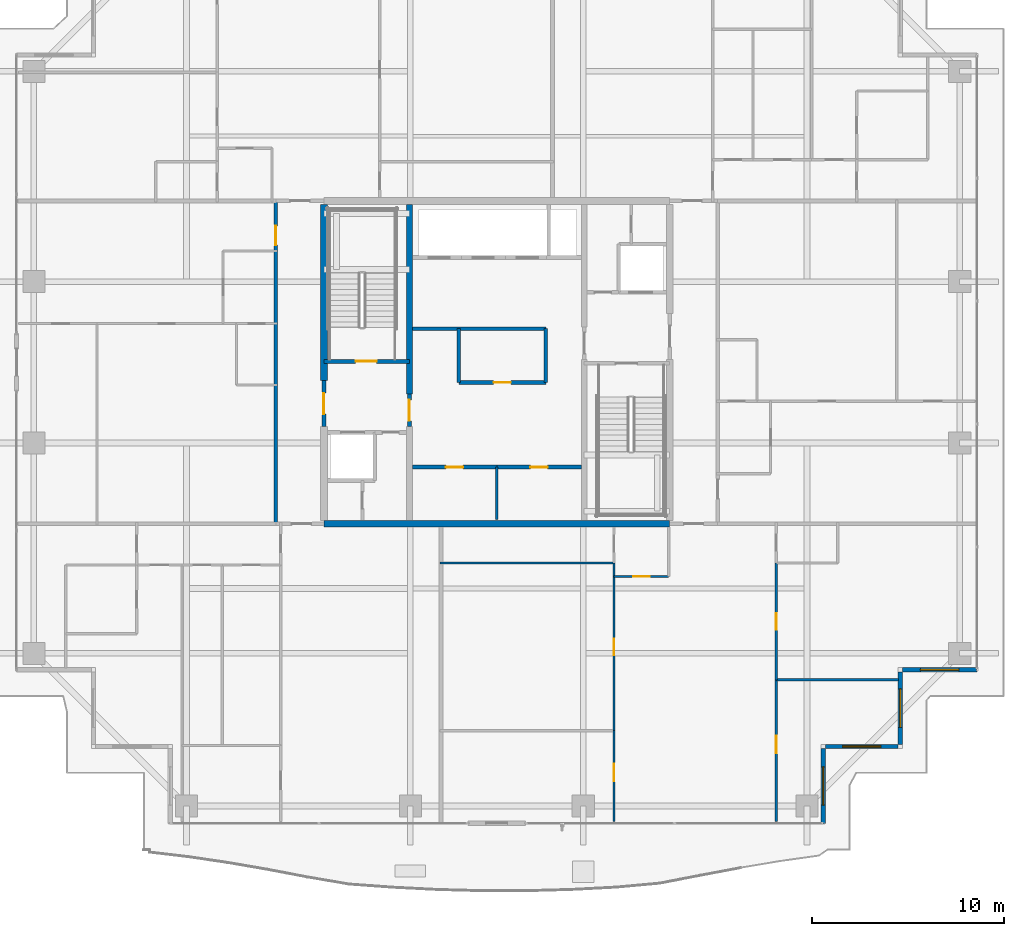
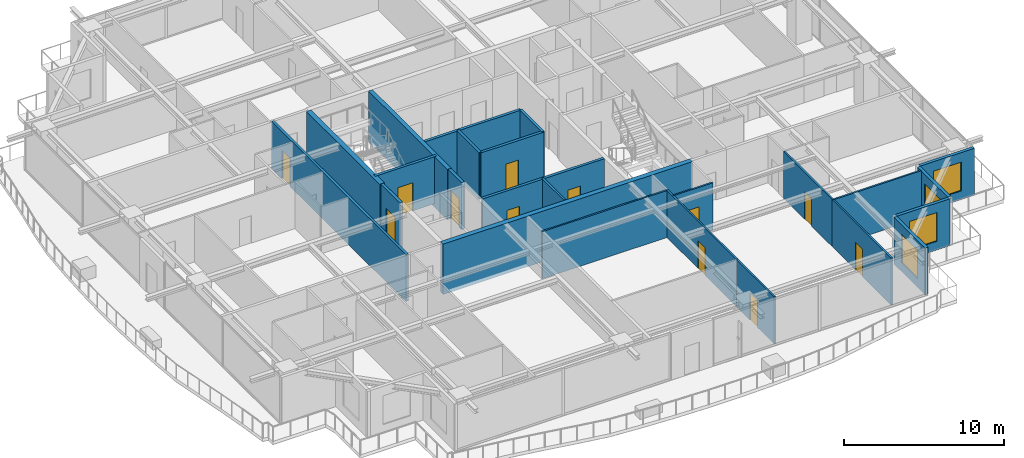
# One storey, part 25 of 37: 25 walls, 12 doors, 4 windows, 16 openings.
"""IFC4 building model written with IfcOpenShell, lengths in metres."""

from ifc_helpers import new_model, si_unit, direction, frame, frame_2d, origin, place, context, subcontext, project, spatial, rectangle, extrude, source, transform, mapped, material, layer, layer_set, type_object, element, fill, save


model = new_model("IFC4")

# Units and contexts
model_context = context("Model", 3, precision=1e-05, world=origin(), true_north=direction((0.0, 1.0)))
body_context = subcontext(model_context, "Body", "Model", "MODEL_VIEW")
ifc_project = project(units=[si_unit("LENGTHUNIT", "METRE"), si_unit("AREAUNIT", "SQUARE_METRE"), si_unit("VOLUMEUNIT", "CUBIC_METRE"), si_unit("PLANEANGLEUNIT", "RADIAN"), si_unit("MASSUNIT", "GRAM", prefix="KILO")], contexts=[model_context])

# Site, building, storey
site_placement = place(None, origin())
site = spatial("IfcSite", under=ifc_project, at=site_placement, CompositionType="ELEMENT")
building_placement = place(site_placement, origin())
building = spatial("IfcBuilding", under=site, at=building_placement, Name="Serunith Strait Residences", CompositionType="ELEMENT")
storey_placement = place(building_placement, frame((0.0, 0.0, 218.14990234375)))
storey = spatial("IfcBuildingStorey", under=building, at=storey_placement, Name="L54", CompositionType="ELEMENT", Elevation=218.14990234375)

# Wall, opening, window
ifc_material_1 = material(Name="Pale-Champagne Aluminium Insulated Panel", Category="aluminium")
ifc_layer_1 = layer(ifc_material_1, 0.219970703125, Name="Pale-Champagne Aluminium Insulated Panel")
ifc_layer_set_1 = layer_set([ifc_layer_1], Name="Pale-Champagne Aluminium Insulated Panel")
wall_type_1 = type_object("IfcWallType", Name="EW-ALUM-220", PredefinedType="ELEMENTEDWALL", material=ifc_layer_set_1)
wall_1_placement = place(storey_placement, frame((49.39990234375, 1.199951171875, 0.0), z_axis=(0.0, 0.0, 1.0), x_axis=(0.0, 1.0, 0.0)))
wall_1 = element("IfcWall", 1, at=wall_1_placement, inside=storey, type_object=wall_type_1, Name="L54 Girih Serrated Corner Wall 02", PredefinedType="ELEMENTEDWALL", context=body_context, shape_type="SweptSolid", body=[
    extrude(rectangle(XDim=3.89013671875, YDim=0.219970703125, at=frame_2d((1.945068359375, 0.0))), origin(), (0.0, 0.0, 1.0), 3.5751953125),
])
opening_1_placement = place(wall_1_placement, frame((0.945068359375, 0.0, 0.64990234375)))
opening_1 = element("IfcOpeningElement", 2, at=opening_1_placement, cuts=wall_1, Name="Opening W-04", PredefinedType="OPENING", context=body_context, shape_type="SweptSolid", body=[
    extrude(rectangle(XDim=2.0, YDim=2.199951171875, at=frame_2d((1.0, 1.10009765625))), frame((0.0, 0.1201171875, 0.0), z_axis=(0.0, -1.0, 0.0), x_axis=(1.0, 0.0, 0.0)), (0.0, 0.0, 1.0), 0.239990234375),
])
ifc_material_2 = material(Name="Ceramic-Fritted Operable Aluminium Window Glass", Category="aluminium")
window_type = type_object("IfcWindowType", Name="WIN-C4", PartitioningType="TRIPLE_PANEL_VERTICAL", PredefinedType="WINDOW", material=ifc_material_2)
shared_shape_1 = source(origin(), body_context, "Body", "SweptSolid", [
    extrude(rectangle(XDim=2.0, YDim=2.199951171875, at=frame_2d((1.0, 1.10009765625))), frame((0.0, 0.030029296875, 0.0), z_axis=(0.0, -1.0, 0.0), x_axis=(1.0, 0.0, 0.0)), (0.0, 0.0, 1.0), 0.06005859375),
])
window_1_placement = place(opening_1_placement, origin())
window_1 = element("IfcWindow", 3, at=window_1_placement, inside=storey, type_object=window_type, Name="L54 Corner Operable Fritted Window 02", OverallHeight=2.199951171875, OverallWidth=2.0, PartitioningType="SINGLE_PANEL", PredefinedType="WINDOW", context=body_context, shape_type="MappedRepresentation", body=[
    mapped(shared_shape_1, transform((0.0, 0.0, 0.0), scale=1.0)),
])
fill(opening_1, window_1)

wall_2_placement = place(storey_placement, frame((49.510009765625, 5.199951171875, 0.0), z_axis=(0.0, 0.0, 1.0), x_axis=(1.0, 0.0, 0.0)))
wall_2 = element("IfcWall", 4, at=wall_2_placement, inside=storey, type_object=wall_type_1, Name="L54 Girih Serrated Corner Wall 03", PredefinedType="ELEMENTEDWALL", context=body_context, shape_type="SweptSolid", body=[
    extrude(rectangle(XDim=3.780029296875, YDim=0.219970703125, at=frame_2d((1.89013671875, 0.0))), origin(), (0.0, 0.0, 1.0), 3.5751953125),
])
opening_2_placement = place(wall_2_placement, frame((0.889892578125, 0.0, 0.64990234375)))
opening_2 = element("IfcOpeningElement", 5, at=opening_2_placement, cuts=wall_2, Name="Opening W-04", PredefinedType="OPENING", context=body_context, shape_type="SweptSolid", body=[
    extrude(rectangle(XDim=2.0, YDim=2.199951171875, at=frame_2d((1.0, 1.10009765625))), frame((0.0, 0.1201171875, 0.0), z_axis=(0.0, -1.0, 0.0), x_axis=(1.0, 0.0, 0.0)), (0.0, 0.0, 1.0), 0.239990234375),
])
window_2_placement = place(opening_2_placement, origin())
window_2 = element("IfcWindow", 6, at=window_2_placement, inside=storey, type_object=window_type, Name="L54 Corner Operable Fritted Window 03", OverallHeight=2.199951171875, OverallWidth=2.0, PartitioningType="SINGLE_PANEL", PredefinedType="WINDOW", context=body_context, shape_type="MappedRepresentation", body=[
    mapped(shared_shape_1, transform((0.0, 0.0, 0.0), scale=1.0)),
])
fill(opening_2, window_2)

wall_3_placement = place(storey_placement, frame((53.39990234375, 5.31005859375, 0.0), z_axis=(0.0, 0.0, 1.0), x_axis=(0.0, 1.0, 0.0)))
wall_3 = element("IfcWall", 7, at=wall_3_placement, inside=storey, type_object=wall_type_1, Name="L54 Girih Serrated Corner Wall 04", PredefinedType="ELEMENTEDWALL", context=body_context, shape_type="SweptSolid", body=[
    extrude(rectangle(XDim=3.780029296875, YDim=0.219970703125, at=frame_2d((1.89013671875, 0.0))), origin(), (0.0, 0.0, 1.0), 3.5751953125),
])
opening_3_placement = place(wall_3_placement, frame((0.889892578125, 0.0, 0.64990234375)))
opening_3 = element("IfcOpeningElement", 8, at=opening_3_placement, cuts=wall_3, Name="Opening W-04", PredefinedType="OPENING", context=body_context, shape_type="SweptSolid", body=[
    extrude(rectangle(XDim=2.0, YDim=2.199951171875, at=frame_2d((1.0, 1.10009765625))), frame((0.0, 0.1201171875, 0.0), z_axis=(0.0, -1.0, 0.0), x_axis=(1.0, 0.0, 0.0)), (0.0, 0.0, 1.0), 0.239990234375),
])
window_3_placement = place(opening_3_placement, origin())
window_3 = element("IfcWindow", 9, at=window_3_placement, inside=storey, type_object=window_type, Name="L54 Corner Operable Fritted Window 04", OverallHeight=2.199951171875, OverallWidth=2.0, PartitioningType="SINGLE_PANEL", PredefinedType="WINDOW", context=body_context, shape_type="MappedRepresentation", body=[
    mapped(shared_shape_1, transform((0.0, 0.0, 0.0), scale=1.0)),
])
fill(opening_3, window_3)

wall_4_placement = place(storey_placement, frame((53.510009765625, 9.199951171875, 0.0), z_axis=(0.0, 0.0, 1.0), x_axis=(1.0, 0.0, 0.0)))
wall_4 = element("IfcWall", 10, at=wall_4_placement, inside=storey, type_object=wall_type_1, Name="L54 Girih Serrated Corner Wall 05", PredefinedType="ELEMENTEDWALL", context=body_context, shape_type="SweptSolid", body=[
    extrude(rectangle(XDim=3.889892578125, YDim=0.219970703125, at=frame_2d((1.94482421875, 0.0))), origin(), (0.0, 0.0, 1.0), 3.5751953125),
])
opening_4_placement = place(wall_4_placement, frame((0.945068359375, 0.0, 0.64990234375)))
opening_4 = element("IfcOpeningElement", 11, at=opening_4_placement, cuts=wall_4, Name="Opening W-04", PredefinedType="OPENING", context=body_context, shape_type="SweptSolid", body=[
    extrude(rectangle(XDim=2.0, YDim=2.199951171875, at=frame_2d((1.0, 1.10009765625))), frame((0.0, 0.1201171875, 0.0), z_axis=(0.0, -1.0, 0.0), x_axis=(1.0, 0.0, 0.0)), (0.0, 0.0, 1.0), 0.239990234375),
])
window_4_placement = place(opening_4_placement, origin())
window_4 = element("IfcWindow", 12, at=window_4_placement, inside=storey, type_object=window_type, Name="L54 Corner Operable Fritted Window 05", OverallHeight=2.199951171875, OverallWidth=2.0, PartitioningType="SINGLE_PANEL", PredefinedType="WINDOW", context=body_context, shape_type="MappedRepresentation", body=[
    mapped(shared_shape_1, transform((0.0, 0.0, 0.0), scale=1.0)),
])
fill(opening_4, window_4)

# Wall
ifc_material_3 = material(Name="Fire-rated masonry service closet wall", Category="masonry")
ifc_layer_2 = layer(ifc_material_3, 0.14990234375, Name="Fire-rated masonry service closet wall")
ifc_layer_set_2 = layer_set([ifc_layer_2], Name="Fire-rated masonry service closet wall")
wall_type_2 = type_object("IfcWallType", Name="IW-BOH-150", PredefinedType="PARTITIONING", material=ifc_layer_set_2)
wall_5_placement = place(storey_placement, frame((32.39990234375, 17.02001953125, 0.0), z_axis=(0.0, 0.0, 1.0), x_axis=(0.0, 1.0, 0.0)))
element("IfcWall", 13, at=wall_5_placement, inside=storey, type_object=wall_type_2, Name="L54 Partition Wall 015", PredefinedType="PARTITIONING", context=body_context, shape_type="SweptSolid", body=[
    extrude(rectangle(XDim=2.72998046875, YDim=0.14990234375, at=frame_2d((1.364990234375, 0.0))), origin(), (0.0, 0.0, 1.0), 3.590087890625),
])

# Wall, opening, door
ifc_material_4 = material(Name="Fire-rated acoustic gypsum partition")
ifc_layer_3 = layer(ifc_material_4, 0.179931640625, Name="Fire-rated acoustic gypsum partition")
ifc_layer_set_3 = layer_set([ifc_layer_3], Name="Fire-rated acoustic gypsum partition")
wall_type_3 = type_object("IfcWallType", Name="IW-CORR-180", PredefinedType="PARTITIONING", material=ifc_layer_set_3)
wall_6_placement = place(storey_placement, frame((20.89990234375, 16.800048828125, 0.0), z_axis=(0.0, 0.0, 1.0), x_axis=(0.0, 1.0, 0.0)))
wall_6 = element("IfcWall", 14, at=wall_6_placement, inside=storey, type_object=wall_type_3, Name="L54 Partition Wall 028", PredefinedType="PARTITIONING", context=body_context, shape_type="SweptSolid", body=[
    extrude(rectangle(XDim=16.800048828125, YDim=0.179931640625, at=frame_2d((8.39990234375, 0.0))), origin(), (0.0, 0.0, 1.0), 3.590087890625),
])
opening_5_placement = place(wall_6_placement, frame((14.5, 0.0, 0.0)))
opening_5 = element("IfcOpeningElement", 15, at=opening_5_placement, cuts=wall_6, Name="Opening D-APT1000", PredefinedType="OPENING", context=body_context, shape_type="SweptSolid", body=[
    extrude(rectangle(XDim=1.0, YDim=2.14990234375, at=frame_2d((0.5, 1.074951171875))), frame((0.0, 0.10009765625, 0.0), z_axis=(0.0, -1.0, 0.0), x_axis=(1.0, 0.0, 0.0)), (0.0, 0.0, 1.0), 0.199951171875),
])
ifc_material_5 = material(Name="Solid timber engineered fire door", Category="wood")
door_type_1 = type_object("IfcDoorType", Name="ID-APT-1000", OperationType="NOTDEFINED", PredefinedType="DOOR", material=ifc_material_5)
shared_shape_2 = source(origin(), body_context, "Body", "SweptSolid", [
    extrude(rectangle(XDim=1.0, YDim=2.14990234375, at=frame_2d((0.5, 1.074951171875))), frame((0.0, 0.02490234375, 0.0), z_axis=(0.0, -1.0, 0.0), x_axis=(1.0, 0.0, 0.0)), (0.0, 0.0, 1.0), 0.050048828125),
])
door_1_placement = place(opening_5_placement, origin())
door_1 = element("IfcDoor", 16, at=door_1_placement, inside=storey, type_object=door_type_1, Name="L54 Unit 05 Entrance Door", OperationType="SINGLE_SWING_LEFT", OverallHeight=2.14990234375, OverallWidth=1.0, PredefinedType="DOOR", context=body_context, shape_type="MappedRepresentation", body=[
    mapped(shared_shape_2, transform((0.0, 0.0, 0.0), scale=1.0)),
])
fill(opening_5, door_1)

ifc_material_6 = material(Name="Lightweight steel-stud gypsum partition", Category="steel")
ifc_layer_4 = layer(ifc_material_6, 0.1201171875, Name="Lightweight steel-stud gypsum partition")
ifc_layer_set_4 = layer_set([ifc_layer_4], Name="Lightweight steel-stud gypsum partition")
wall_type_4 = type_object("IfcWallType", Name="IW-PART-120", PredefinedType="PARTITIONING", material=ifc_layer_set_4)
wall_7_placement = place(storey_placement, frame((38.5, 14.050048828125, 0.0), z_axis=(0.0, 0.0, 1.0), x_axis=(1.0, 0.0, 0.0)))
wall_7 = element("IfcWall", 17, at=wall_7_placement, inside=storey, type_object=wall_type_4, Name="L54 Partition Wall 046", PredefinedType="PARTITIONING", context=body_context, shape_type="SweptSolid", body=[
    extrude(rectangle(XDim=2.85009765625, YDim=0.1201171875, at=frame_2d((1.425048828125, 0.0))), origin(), (0.0, 0.0, 1.0), 3.590087890625),
])
opening_6_placement = place(wall_7_placement, frame((1.0, 0.0, 0.0)))
opening_6 = element("IfcOpeningElement", 18, at=opening_6_placement, cuts=wall_7, Name="Opening D-RM850", PredefinedType="OPENING", context=body_context, shape_type="SweptSolid", body=[
    extrude(rectangle(XDim=0.85009765625, YDim=2.10009765625, at=frame_2d((0.425048828125, 1.050048828125))), frame((0.0, 0.070068359375, 0.0), z_axis=(0.0, -1.0, 0.0), x_axis=(1.0, 0.0, 0.0)), (0.0, 0.0, 1.0), 0.14013671875),
])
ifc_material_7 = material(Name="Engineered timber flush study and kitchen door", Category="wood")
door_type_2 = type_object("IfcDoorType", Name="ID-ROOM-850", OperationType="NOTDEFINED", PredefinedType="DOOR", material=ifc_material_7)
shared_shape_3 = source(origin(), body_context, "Body", "SweptSolid", [
    extrude(rectangle(XDim=0.85009765625, YDim=2.10009765625, at=frame_2d((0.425048828125, 1.050048828125))), frame((0.0, 0.02490234375, 0.0), z_axis=(0.0, -1.0, 0.0), x_axis=(1.0, 0.0, 0.0)), (0.0, 0.0, 1.0), 0.050048828125),
])
door_2_placement = place(opening_6_placement, origin())
door_2 = element("IfcDoor", 19, at=door_2_placement, inside=storey, type_object=door_type_2, Name="L54 Kitchen 5402 Door", OperationType="SINGLE_SWING_RIGHT", OverallHeight=2.10009765625, OverallWidth=0.85009765625, PredefinedType="DOOR", context=body_context, shape_type="MappedRepresentation", body=[
    mapped(shared_shape_3, transform((0.0, 0.0, 0.0), scale=1.0)),
])
fill(opening_6, door_2)

wall_8_placement = place(storey_placement, frame((38.5, 1.294921875, 0.0), z_axis=(0.0, 0.0, 1.0), x_axis=(0.0, 1.0, 0.0)))
wall_8 = element("IfcWall", 20, at=wall_8_placement, inside=storey, type_object=wall_type_4, Name="L54 Partition Wall 048", PredefinedType="PARTITIONING", context=body_context, shape_type="SweptSolid", body=[
    extrude(rectangle(XDim=4.72705078125, YDim=0.1201171875, at=frame_2d((2.363525390625, 0.0))), origin(), (0.0, 0.0, 1.0), 3.590087890625),
])
opening_7_placement = place(wall_8_placement, frame((2.10498046875, 0.0, 0.0)))
opening_7 = element("IfcOpeningElement", 21, at=opening_7_placement, cuts=wall_8, Name="Opening D-RM900", PredefinedType="OPENING", context=body_context, shape_type="SweptSolid", body=[
    extrude(rectangle(XDim=0.89990234375, YDim=2.10009765625, at=frame_2d((0.449951171875, 1.050048828125))), frame((0.0, 0.070068359375, 0.0), z_axis=(0.0, -1.0, 0.0), x_axis=(1.0, 0.0, 0.0)), (0.0, 0.0, 1.0), 0.14013671875),
])
ifc_material_8 = material(Name="Engineered timber flush bedroom door", Category="wood")
door_type_3 = type_object("IfcDoorType", Name="ID-ROOM-900", OperationType="NOTDEFINED", PredefinedType="DOOR", material=ifc_material_8)
shared_shape_4 = source(origin(), body_context, "Body", "SweptSolid", [
    extrude(rectangle(XDim=0.89990234375, YDim=2.10009765625, at=frame_2d((0.449951171875, 1.050048828125))), frame((0.0, 0.02490234375, 0.0), z_axis=(0.0, -1.0, 0.0), x_axis=(1.0, 0.0, 0.0)), (0.0, 0.0, 1.0), 0.050048828125),
])
door_3_placement = place(opening_7_placement, origin())
door_3 = element("IfcDoor", 22, at=door_3_placement, inside=storey, type_object=door_type_3, Name="L54 Master Bedroom 1 5402 Door", OperationType="SINGLE_SWING_LEFT", OverallHeight=2.10009765625, OverallWidth=0.89990234375, PredefinedType="DOOR", context=body_context, shape_type="MappedRepresentation", body=[
    mapped(shared_shape_4, transform((0.0, 0.0, 0.0), scale=1.0)),
])
fill(opening_7, door_3)

# Wall
wall_9_placement = place(storey_placement, frame((29.43994140625, 14.75, 0.0), z_axis=(0.0, 0.0, 1.0), x_axis=(1.0, 0.0, 0.0)))
element("IfcWall", 23, at=wall_9_placement, inside=storey, type_object=wall_type_4, Name="L54 Partition Wall 050", PredefinedType="PARTITIONING", context=body_context, shape_type="SweptSolid", body=[
    extrude(rectangle(XDim=9.06005859375, YDim=0.1201171875, at=frame_2d((4.530029296875, 0.0))), origin(), (0.0, 0.0, 1.0), 3.590087890625),
])

# Wall, opening, door
wall_10_placement = place(storey_placement, frame((38.5, 6.02392578125, 0.0), z_axis=(0.0, 0.0, 1.0), x_axis=(0.0, 1.0, 0.0)))
wall_10 = element("IfcWall", 24, at=wall_10_placement, inside=storey, type_object=wall_type_4, Name="L54 Partition Wall 051", PredefinedType="PARTITIONING", context=body_context, shape_type="SweptSolid", body=[
    extrude(rectangle(XDim=8.72607421875, YDim=0.1201171875, at=frame_2d((4.363037109375, 0.0))), origin(), (0.0, 0.0, 1.0), 3.590087890625),
])
opening_8_placement = place(wall_10_placement, frame((3.93798828125, 0.0, 0.0)))
opening_8 = element("IfcOpeningElement", 25, at=opening_8_placement, cuts=wall_10, Name="Opening D-RM850", PredefinedType="OPENING", context=body_context, shape_type="SweptSolid", body=[
    extrude(rectangle(XDim=0.85009765625, YDim=2.10009765625, at=frame_2d((0.425048828125, 1.050048828125))), frame((0.0, 0.070068359375, 0.0), z_axis=(0.0, -1.0, 0.0), x_axis=(1.0, 0.0, 0.0)), (0.0, 0.0, 1.0), 0.14013671875),
])
door_4_placement = place(opening_8_placement, origin())
door_4 = element("IfcDoor", 26, at=door_4_placement, inside=storey, type_object=door_type_2, Name="L54 Walk-in Wardrobe 5402 Door", OperationType="SINGLE_SWING_RIGHT", OverallHeight=2.10009765625, OverallWidth=0.85009765625, PredefinedType="DOOR", context=body_context, shape_type="MappedRepresentation", body=[
    mapped(shared_shape_3, transform((0.0, 0.0, 0.0), scale=1.0)),
])
fill(opening_8, door_4)

wall_11_placement = place(storey_placement, frame((46.949951171875, 1.294921875, 0.0), z_axis=(0.0, 0.0, 1.0), x_axis=(0.0, 1.0, 0.0)))
wall_11 = element("IfcWall", 27, at=wall_11_placement, inside=storey, type_object=wall_type_4, Name="L54 Partition Wall 053", PredefinedType="PARTITIONING", context=body_context, shape_type="SweptSolid", body=[
    extrude(rectangle(XDim=7.373046875, YDim=0.1201171875, at=frame_2d((3.6865234375, 0.0))), origin(), (0.0, 0.0, 1.0), 3.590087890625),
])
opening_9_placement = place(wall_11_placement, frame((3.56005859375, 0.0, 0.0)))
opening_9 = element("IfcOpeningElement", 28, at=opening_9_placement, cuts=wall_11, Name="Opening D-RM900", PredefinedType="OPENING", context=body_context, shape_type="SweptSolid", body=[
    extrude(rectangle(XDim=0.89990234375, YDim=2.10009765625, at=frame_2d((0.449951171875, 1.050048828125))), frame((0.0, 0.070068359375, 0.0), z_axis=(0.0, -1.0, 0.0), x_axis=(1.0, 0.0, 0.0)), (0.0, 0.0, 1.0), 0.14013671875),
])
door_5_placement = place(opening_9_placement, origin())
door_5 = element("IfcDoor", 29, at=door_5_placement, inside=storey, type_object=door_type_3, Name="L54 Bedroom 2 5402 Door", OperationType="SINGLE_SWING_RIGHT", OverallHeight=2.10009765625, OverallWidth=0.89990234375, PredefinedType="DOOR", context=body_context, shape_type="MappedRepresentation", body=[
    mapped(shared_shape_4, transform((0.0, 0.0, 0.0), scale=1.0)),
])
fill(opening_9, door_5)

# Wall
wall_12_placement = place(storey_placement, frame((46.949951171875, 8.66796875, 0.0), z_axis=(0.0, 0.0, 1.0), x_axis=(1.0, 0.0, 0.0)))
element("IfcWall", 30, at=wall_12_placement, inside=storey, type_object=wall_type_4, Name="L54 Partition Wall 054", PredefinedType="PARTITIONING", context=body_context, shape_type="SweptSolid", body=[
    extrude(rectangle(XDim=6.35498046875, YDim=0.1201171875, at=frame_2d((3.177490234375, 0.0))), origin(), (0.0, 0.0, 1.0), 3.590087890625),
])

# Wall, opening, door
wall_13_placement = place(storey_placement, frame((46.949951171875, 8.669921875, 0.0), z_axis=(0.0, 0.0, 1.0), x_axis=(0.0, 1.0, 0.0)))
wall_13 = element("IfcWall", 31, at=wall_13_placement, inside=storey, type_object=wall_type_4, Name="L54 Partition Wall 057", PredefinedType="PARTITIONING", context=body_context, shape_type="SweptSolid", body=[
    extrude(rectangle(XDim=6.080078125, YDim=0.1201171875, at=frame_2d((3.0400390625, 0.0))), origin(), (0.0, 0.0, 1.0), 3.590087890625),
])
opening_10_placement = place(wall_13_placement, frame((2.614990234375, 0.0, 0.0)))
opening_10 = element("IfcOpeningElement", 32, at=opening_10_placement, cuts=wall_13, Name="Opening D-RM850", PredefinedType="OPENING", context=body_context, shape_type="SweptSolid", body=[
    extrude(rectangle(XDim=0.85009765625, YDim=2.10009765625, at=frame_2d((0.425048828125, 1.050048828125))), frame((0.0, 0.070068359375, 0.0), z_axis=(0.0, -1.0, 0.0), x_axis=(1.0, 0.0, 0.0)), (0.0, 0.0, 1.0), 0.14013671875),
])
door_6_placement = place(opening_10_placement, origin())
door_6 = element("IfcDoor", 33, at=door_6_placement, inside=storey, type_object=door_type_2, Name="L54 Walk-in Wardrobe 5402 Door", OperationType="SINGLE_SWING_LEFT", OverallHeight=2.10009765625, OverallWidth=0.85009765625, PredefinedType="DOOR", context=body_context, shape_type="MappedRepresentation", body=[
    mapped(shared_shape_3, transform((0.0, 0.0, 0.0), scale=1.0)),
])
fill(opening_10, door_6)

ifc_material_9 = material(Name="Autoclaved aerated concrete blockwork", Category="masonry")
ifc_layer_5 = layer(ifc_material_9, 0.199951171875, Name="Autoclaved aerated concrete blockwork")
ifc_layer_set_5 = layer_set([ifc_layer_5], Name="Autoclaved aerated concrete blockwork")
wall_type_5 = type_object("IfcWallType", Name="IW-SHAFT-200", PredefinedType="STANDARD", material=ifc_layer_set_5)
wall_14_placement = place(storey_placement, frame((23.39990234375, 25.25, 0.0), z_axis=(0.0, 0.0, 1.0), x_axis=(1.0, 0.0, 0.0)))
wall_14 = element("IfcWall", 34, at=wall_14_placement, inside=storey, type_object=wall_type_5, Name="L54 ST-1 South Shaft Wall", PredefinedType="STANDARD", context=body_context, shape_type="SweptSolid", body=[
    extrude(rectangle(XDim=4.4501953125, YDim=0.199951171875, at=frame_2d((2.22509765625, 0.0))), origin(), (0.0, 0.0, 1.0), 3.590087890625),
])
opening_11_placement = place(wall_14_placement, frame((1.64990234375, 0.0, 0.0)))
opening_11 = element("IfcOpeningElement", 35, at=opening_11_placement, cuts=wall_14, Name="Opening FD-1100", PredefinedType="OPENING", context=body_context, shape_type="SweptSolid", body=[
    extrude(rectangle(XDim=1.10009765625, YDim=2.14990234375, at=frame_2d((0.550048828125, 1.074951171875))), frame((0.0, 0.10986328125, 0.0), z_axis=(0.0, -1.0, 0.0), x_axis=(1.0, 0.0, 0.0)), (0.0, 0.0, 1.0), 0.219970703125),
])
ifc_material_10 = material(Name="Galvanised steel fire door leaf", Category="steel")
door_type_4 = type_object("IfcDoorType", Name="FD-STAIR-1100", OperationType="NOTDEFINED", PredefinedType="DOOR", material=ifc_material_10)
shared_shape_5 = source(origin(), body_context, "Body", "SweptSolid", [
    extrude(rectangle(XDim=1.10009765625, YDim=2.14990234375, at=frame_2d((0.550048828125, 1.074951171875))), frame((0.0, 0.02490234375, 0.0), z_axis=(0.0, -1.0, 0.0), x_axis=(1.0, 0.0, 0.0)), (0.0, 0.0, 1.0), 0.050048828125),
])
door_7_placement = place(opening_11_placement, origin())
door_7 = element("IfcDoor", 36, at=door_7_placement, inside=storey, type_object=door_type_4, Name="L54 ST-1 Escape Stair Door", OperationType="SINGLE_SWING_RIGHT", OverallHeight=2.14990234375, OverallWidth=1.10009765625, PredefinedType="DOOR", context=body_context, shape_type="MappedRepresentation", body=[
    mapped(shared_shape_5, transform((0.0, 0.0, 0.0), scale=1.0)),
])
fill(opening_11, door_7)

wall_15_placement = place(storey_placement, frame((23.39990234375, 21.85205078125, 0.0), z_axis=(0.0, 0.0, 1.0), x_axis=(0.0, 1.0, 0.0)))
wall_15 = element("IfcWall", 37, at=wall_15_placement, inside=storey, type_object=wall_type_5, Name="L54 Partition Wall 007", PredefinedType="STANDARD", context=body_context, shape_type="SweptSolid", body=[
    extrude(rectangle(XDim=2.39599609375, YDim=0.199951171875, at=frame_2d((1.197998046875, 0.0))), origin(), (0.0, 0.0, 1.0), 3.590087890625),
])
opening_12_placement = place(wall_15_placement, frame((0.64794921875, 0.0, 0.0)))
opening_12 = element("IfcOpeningElement", 38, at=opening_12_placement, cuts=wall_15, Name="Opening FD-FFL", PredefinedType="OPENING", context=body_context, shape_type="SweptSolid", body=[
    extrude(rectangle(XDim=1.10009765625, YDim=2.14990234375, at=frame_2d((0.550048828125, 1.074951171875))), frame((0.0, 0.10986328125, 0.0), z_axis=(0.0, -1.0, 0.0), x_axis=(1.0, 0.0, 0.0)), (0.0, 0.0, 1.0), 0.219970703125),
])
ifc_material_11 = material(Name="Glazed steel smoke-lobby fire door", Category="steel")
door_type_5 = type_object("IfcDoorType", Name="FD-FFL-1100", OperationType="NOTDEFINED", PredefinedType="DOOR", material=ifc_material_11)
door_8_placement = place(opening_12_placement, origin())
door_8 = element("IfcDoor", 39, at=door_8_placement, inside=storey, type_object=door_type_5, Name="L54 FFL-1 Corridor Fire Door", OperationType="SINGLE_SWING_RIGHT", OverallHeight=2.14990234375, OverallWidth=1.10009765625, PredefinedType="DOOR", context=body_context, shape_type="MappedRepresentation", body=[
    mapped(shared_shape_5, transform((0.0, 0.0, 0.0), scale=1.0)),
])
fill(opening_12, door_8)

wall_16_placement = place(storey_placement, frame((27.85009765625, 21.85205078125, 0.0), z_axis=(0.0, 0.0, 1.0), x_axis=(0.0, 1.0, 0.0)))
wall_16 = element("IfcWall", 40, at=wall_16_placement, inside=storey, type_object=wall_type_5, Name="L54 Partition Wall 009", PredefinedType="STANDARD", context=body_context, shape_type="SweptSolid", body=[
    extrude(rectangle(XDim=1.696044921875, YDim=0.199951171875, at=frame_2d((0.84814453125, 0.0))), origin(), (0.0, 0.0, 1.0), 3.590087890625),
])
opening_13_placement = place(wall_16_placement, frame((0.298095703125, 0.0, 0.0)))
opening_13 = element("IfcOpeningElement", 41, at=opening_13_placement, cuts=wall_16, Name="Opening FD-FFL", PredefinedType="OPENING", context=body_context, shape_type="SweptSolid", body=[
    extrude(rectangle(XDim=1.10009765625, YDim=2.14990234375, at=frame_2d((0.550048828125, 1.074951171875))), frame((0.0, 0.10986328125, 0.0), z_axis=(0.0, -1.0, 0.0), x_axis=(1.0, 0.0, 0.0)), (0.0, 0.0, 1.0), 0.219970703125),
])
door_9_placement = place(opening_13_placement, origin())
door_9 = element("IfcDoor", 42, at=door_9_placement, inside=storey, type_object=door_type_5, Name="L54 FFL-1 Lift Lobby Door", OperationType="SINGLE_SWING_RIGHT", OverallHeight=2.14990234375, OverallWidth=1.10009765625, PredefinedType="DOOR", context=body_context, shape_type="MappedRepresentation", body=[
    mapped(shared_shape_5, transform((0.0, 0.0, 0.0), scale=1.0)),
])
fill(opening_13, door_9)

wall_17_placement = place(storey_placement, frame((28.0, 19.75, 0.0), z_axis=(0.0, 0.0, 1.0), x_axis=(1.0, 0.0, 0.0)))
wall_17 = element("IfcWall", 43, at=wall_17_placement, inside=storey, type_object=wall_type_5, Name="L54 Partition Wall 013", PredefinedType="STANDARD", context=body_context, shape_type="SweptSolid", body=[
    extrude(rectangle(XDim=4.39990234375, YDim=0.199951171875, at=frame_2d((2.199951171875, 0.0))), origin(), (0.0, 0.0, 1.0), 3.590087890625),
])
opening_14_placement = place(wall_17_placement, frame((1.75, 0.0, 0.0)))
opening_14 = element("IfcOpeningElement", 44, at=opening_14_placement, cuts=wall_17, Name="Opening FD-900", PredefinedType="OPENING", context=body_context, shape_type="SweptSolid", body=[
    extrude(rectangle(XDim=0.89990234375, YDim=2.10009765625, at=frame_2d((0.449951171875, 1.050048828125))), frame((0.0, 0.10986328125, 0.0), z_axis=(0.0, -1.0, 0.0), x_axis=(1.0, 0.0, 0.0)), (0.0, 0.0, 1.0), 0.219970703125),
])
ifc_material_12 = material(Name="Powder-coated steel riser door", Category="steel")
door_type_6 = type_object("IfcDoorType", Name="FD-BOH-900", OperationType="NOTDEFINED", PredefinedType="DOOR", material=ifc_material_12)
door_10_placement = place(opening_14_placement, origin())
door_10 = element("IfcDoor", 45, at=door_10_placement, inside=storey, type_object=door_type_6, Name="L54 Fan-Coil Plant Door", OperationType="SINGLE_SWING_RIGHT", OverallHeight=2.10009765625, OverallWidth=0.89990234375, PredefinedType="DOOR", context=body_context, shape_type="MappedRepresentation", body=[
    mapped(shared_shape_4, transform((0.0, 0.0, 0.0), scale=1.0)),
])
fill(opening_14, door_10)

wall_18_placement = place(storey_placement, frame((32.402099609375, 19.75, 0.0), z_axis=(0.0, 0.0, 1.0), x_axis=(1.0, 0.0, 0.0)))
wall_18 = element("IfcWall", 46, at=wall_18_placement, inside=storey, type_object=wall_type_5, Name="L54 Partition Wall 014", PredefinedType="STANDARD", context=body_context, shape_type="SweptSolid", body=[
    extrude(rectangle(XDim=4.39794921875, YDim=0.199951171875, at=frame_2d((2.198974609375, 0.0))), origin(), (0.0, 0.0, 1.0), 3.590087890625),
])
opening_15_placement = place(wall_18_placement, frame((1.7490234375, 0.0, 0.0)))
opening_15 = element("IfcOpeningElement", 47, at=opening_15_placement, cuts=wall_18, Name="Opening FD-900", PredefinedType="OPENING", context=body_context, shape_type="SweptSolid", body=[
    extrude(rectangle(XDim=0.89990234375, YDim=2.10009765625, at=frame_2d((0.449951171875, 1.050048828125))), frame((0.0, 0.10986328125, 0.0), z_axis=(0.0, -1.0, 0.0), x_axis=(1.0, 0.0, 0.0)), (0.0, 0.0, 1.0), 0.219970703125),
])
door_11_placement = place(opening_15_placement, origin())
door_11 = element("IfcDoor", 48, at=door_11_placement, inside=storey, type_object=door_type_6, Name="L54 Battery UPS Plant Door", OperationType="SINGLE_SWING_LEFT", OverallHeight=2.10009765625, OverallWidth=0.89990234375, PredefinedType="DOOR", context=body_context, shape_type="MappedRepresentation", body=[
    mapped(shared_shape_4, transform((0.0, 0.0, 0.0), scale=1.0)),
])
fill(opening_15, door_11)

# Walls
wall_19_placement = place(storey_placement, frame((28.0, 26.949951171875, 0.0), z_axis=(0.0, 0.0, 1.0), x_axis=(1.0, 0.0, 0.0)))
element("IfcWall", 49, at=wall_19_placement, inside=storey, type_object=wall_type_5, Name="L54 Partition Wall 016", PredefinedType="STANDARD", context=body_context, shape_type="SweptSolid", body=[
    extrude(rectangle(XDim=6.949951171875, YDim=0.199951171875, at=frame_2d((3.47509765625, 0.0))), origin(), (0.0, 0.0, 1.0), 3.590087890625),
])
wall_20_placement = place(storey_placement, frame((34.949951171875, 24.14990234375, 0.0), z_axis=(0.0, 0.0, 1.0), x_axis=(0.0, 1.0, 0.0)))
element("IfcWall", 50, at=wall_20_placement, inside=storey, type_object=wall_type_5, Name="L54 Partition Wall 017", PredefinedType="STANDARD", context=body_context, shape_type="SweptSolid", body=[
    extrude(rectangle(XDim=2.800048828125, YDim=0.199951171875, at=frame_2d((1.39990234375, 0.0))), origin(), (0.0, 0.0, 1.0), 3.590087890625),
])

# Wall, opening, door
wall_21_placement = place(storey_placement, frame((30.419921875, 24.14990234375, 0.0), z_axis=(0.0, 0.0, 1.0), x_axis=(1.0, 0.0, 0.0)))
wall_21 = element("IfcWall", 51, at=wall_21_placement, inside=storey, type_object=wall_type_5, Name="L54 Partition Wall 018", PredefinedType="STANDARD", context=body_context, shape_type="SweptSolid", body=[
    extrude(rectangle(XDim=4.530029296875, YDim=0.199951171875, at=frame_2d((2.26513671875, 0.0))), origin(), (0.0, 0.0, 1.0), 3.590087890625),
])
opening_16_placement = place(wall_21_placement, frame((1.81494140625, 0.0, 0.0)))
opening_16 = element("IfcOpeningElement", 52, at=opening_16_placement, cuts=wall_21, Name="Opening FD-900", PredefinedType="OPENING", context=body_context, shape_type="SweptSolid", body=[
    extrude(rectangle(XDim=0.89990234375, YDim=2.10009765625, at=frame_2d((0.449951171875, 1.050048828125))), frame((0.0, 0.10986328125, 0.0), z_axis=(0.0, -1.0, 0.0), x_axis=(1.0, 0.0, 0.0)), (0.0, 0.0, 1.0), 0.219970703125),
])
door_12_placement = place(opening_16_placement, origin())
door_12 = element("IfcDoor", 53, at=door_12_placement, inside=storey, type_object=door_type_6, Name="L54 Housekeeping Linen Door", OperationType="SINGLE_SWING_RIGHT", OverallHeight=2.10009765625, OverallWidth=0.89990234375, PredefinedType="DOOR", context=body_context, shape_type="MappedRepresentation", body=[
    mapped(shared_shape_4, transform((0.0, 0.0, 0.0), scale=1.0)),
])
fill(opening_16, door_12)

# Walls
wall_22_placement = place(storey_placement, frame((30.419921875, 24.14990234375, 0.0), z_axis=(0.0, 0.0, 1.0), x_axis=(0.0, 1.0, 0.0)))
element("IfcWall", 54, at=wall_22_placement, inside=storey, type_object=wall_type_5, Name="L54 Partition Wall 019", PredefinedType="STANDARD", context=body_context, shape_type="SweptSolid", body=[
    extrude(rectangle(XDim=2.800048828125, YDim=0.199951171875, at=frame_2d((1.39990234375, 0.0))), origin(), (0.0, 0.0, 1.0), 3.590087890625),
])
ifc_material_13 = material(Name="Concrete C60/75", Category="concrete")
ifc_layer_6 = layer(ifc_material_13, 0.300048828125, Name="Concrete C60/75")
ifc_layer_set_6 = layer_set([ifc_layer_6], Name="Concrete C60/75")
wall_type_6 = type_object("IfcWallType", Name="SW-300-C60", PredefinedType="SHEAR", material=ifc_layer_set_6)
wall_23_placement = place(storey_placement, frame((27.85009765625, 23.550048828125, -0.260009765625), z_axis=(0.0, 0.0, 1.0), x_axis=(0.0, 1.0, 0.0)))
element("IfcWall", 55, at=wall_23_placement, inside=storey, type_object=wall_type_6, Name="L54 Core Internal West Web North Pier", PredefinedType="SHEAR", context=body_context, shape_type="SweptSolid", body=[
    extrude(rectangle(XDim=9.875, YDim=0.300048828125, at=frame_2d((4.9375, 0.0))), origin(), (0.0, 0.0, 1.0), 3.84814453125),
])
ifc_layer_7 = layer(ifc_material_13, 0.35009765625, Name="Concrete C60/75")
ifc_layer_set_7 = layer_set([ifc_layer_7], Name="Concrete C60/75")
wall_type_7 = type_object("IfcWallType", Name="SW-350-C60", PredefinedType="SHEAR", material=ifc_layer_set_7)
wall_24_placement = place(storey_placement, frame((23.39990234375, 16.800048828125, -0.260009765625), z_axis=(0.0, 0.0, 1.0), x_axis=(1.0, 0.0, 0.0)))
element("IfcWall", 56, at=wall_24_placement, inside=storey, type_object=wall_type_7, Name="L54 Core South Shear Wall", PredefinedType="SHEAR", context=body_context, shape_type="SweptSolid", body=[
    extrude(rectangle(XDim=18.0, YDim=0.35009765625, at=frame_2d((9.0, 0.0))), origin(), (0.0, 0.0, 1.0), 3.84814453125),
])
wall_25_placement = place(storey_placement, frame((23.39990234375, 24.25, -0.260009765625), z_axis=(0.0, 0.0, 1.0), x_axis=(0.0, 1.0, 0.0)))
element("IfcWall", 57, at=wall_25_placement, inside=storey, type_object=wall_type_7, Name="L54 Core West Shear Wall North Pier", PredefinedType="SHEAR", context=body_context, shape_type="SweptSolid", body=[
    extrude(rectangle(XDim=9.175048828125, YDim=0.35009765625, at=frame_2d((4.58740234375, 0.0))), origin(), (0.0, 0.0, 1.0), 3.84814453125),
])

save(model, "model.ifc")
